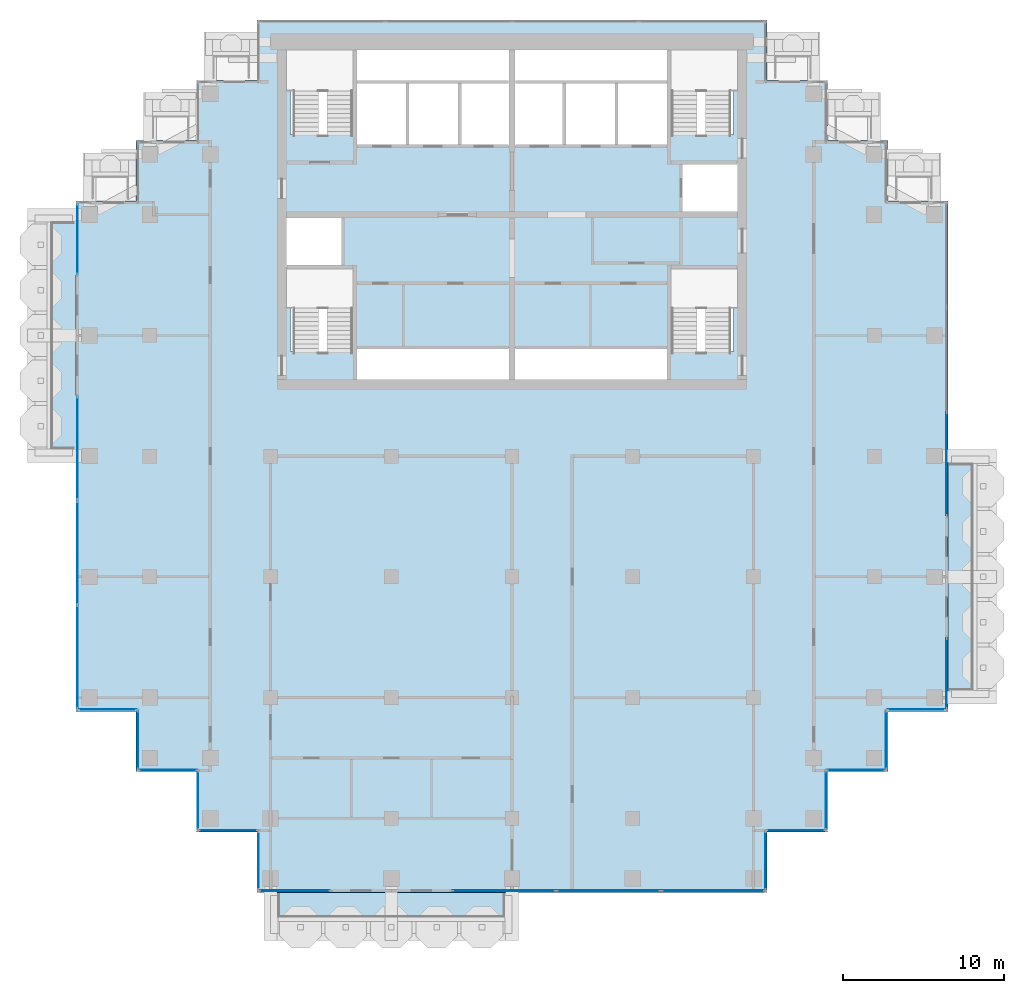
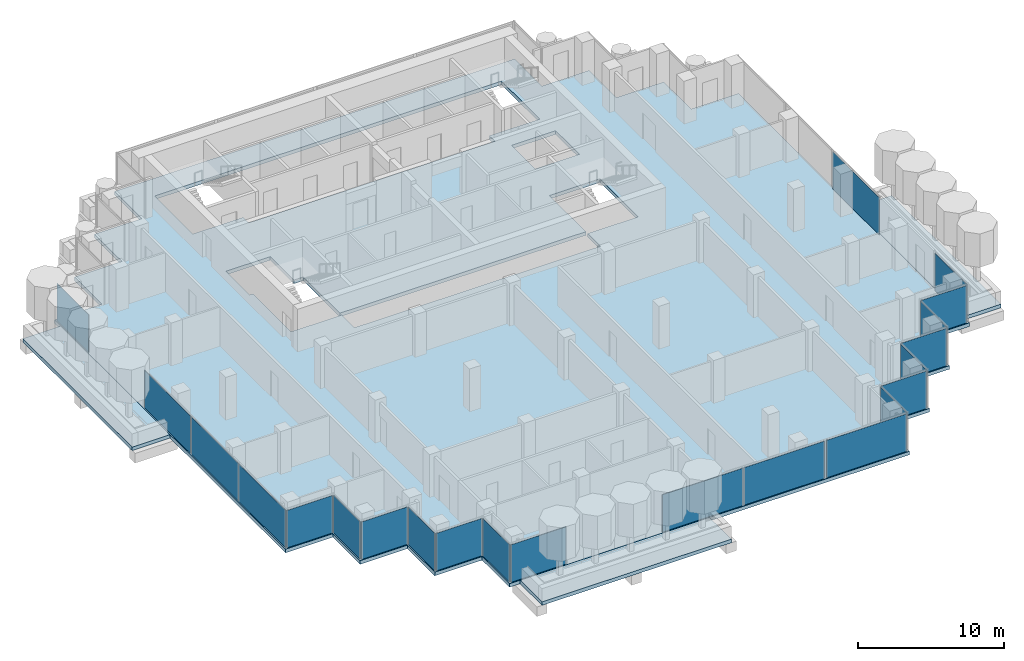
# One storey, part 8 of 17: 22 plates, 4 slabs, 20 elements without a shape of their own.
"""IFC4 building model written with IfcOpenShell, lengths in metres."""

import ifcopenshell
import ifcopenshell.guid

model = None  # the IFC model being written
_history = None  # IfcOwnerHistory: only IFC2X3 demands one
_inside = {}  # id of a spatial element -> (the spatial element, [elements in it])
_under = {}  # id of a project, library or spatial element -> (it, [spatial elements below it])
_declared = {}  # id of a project -> (the project, [libraries it declares])
_typed = {}  # id of a type object -> (the type object, [elements of that type])
_made_of = {}  # id of a material, layer set ... -> (it, [elements and type objects made of it])


def new_model(schema):
    """Start an empty IFC model of exactly this schema.

    Asked for "IFC4X3", IfcOpenShell would pick the latest addendum, in which some entities
    have other attributes; the version numbers below select the first issue.
    IFC2X3 requires an IfcOwnerHistory on every rooted entity: one is made here for all.
    """
    global model, _history
    if schema == "IFC4X3":
        model = ifcopenshell.file(schema_version=(4, 3, 0, 0))
    else:
        model = ifcopenshell.file(schema=schema)
    _inside.clear()
    _under.clear()
    _declared.clear()
    _typed.clear()
    _made_of.clear()
    _history = None
    if model.schema == "IFC2X3":
        org = make("IfcOrganization", Name="unknown")
        user = make(
            "IfcPersonAndOrganization",
            ThePerson=make("IfcPerson", FamilyName="unknown"),
            TheOrganization=org,
        )
        app = make(
            "IfcApplication",
            ApplicationDeveloper=org,
            Version="unknown",
            ApplicationFullName="unknown",
            ApplicationIdentifier="unknown",
        )
        _history = make(
            "IfcOwnerHistory",
            OwningUser=user,
            OwningApplication=app,
            ChangeAction="ADDED",
            CreationDate=0,
        )
    return model


def make(cls, **values):
    """One entity of the class cls with the attributes given. An attribute that is None is left unset."""
    return model.create_entity(
        cls, **{name: value for name, value in values.items() if value is not None}
    )


def rooted(cls, **values):
    """An entity with a GlobalId (a new one), such as an element, a storey or a relation."""
    return make(cls, GlobalId=ifcopenshell.guid.new(), OwnerHistory=_history, **values)


def si_unit(unit_type, name, prefix=None):
    """IfcSIUnit, for example si_unit("LENGTHUNIT", "METRE", prefix="MILLI")."""
    return make("IfcSIUnit", UnitType=unit_type, Prefix=prefix, Name=name)


def assignment(units):
    """IfcUnitAssignment: the units of a project."""
    return None if units is None else make("IfcUnitAssignment", Units=units)


def point(xyz):
    """IfcCartesianPoint."""
    return None if xyz is None else make("IfcCartesianPoint", Coordinates=xyz)


def direction(xyz):
    """IfcDirection."""
    return None if xyz is None else make("IfcDirection", DirectionRatios=xyz)


def frame(location, z_axis=None, x_axis=None):
    """IfcAxis2Placement3D, a coordinate frame: its origin and axes. An axis left out is left unset."""
    return make(
        "IfcAxis2Placement3D",
        Location=point(location),
        Axis=direction(z_axis),
        RefDirection=direction(x_axis),
    )


def frame_2d(location, x_axis=None):
    """IfcAxis2Placement2D, a coordinate frame in the plane: its origin and x axis."""
    return make(
        "IfcAxis2Placement2D", Location=point(location), RefDirection=direction(x_axis)
    )


def origin():
    """The frame at (0, 0, 0) with its axes left unset."""
    return frame((0.0, 0.0, 0.0))


def origin_2d():
    """The frame at (0, 0) in the plane with its x axis left unset."""
    return frame_2d((0.0, 0.0))


def place(relative_to, where):
    """IfcLocalPlacement: puts the frame where relative to a parent placement (None: the world)."""
    return make(
        "IfcLocalPlacement", PlacementRelTo=relative_to, RelativePlacement=where
    )


def context(
    kind, dimensions, precision=None, world=None, true_north=None, identifier=None
):
    """IfcGeometricRepresentationContext, for example the 3D "Model" context."""
    return make(
        "IfcGeometricRepresentationContext",
        ContextIdentifier=identifier,
        ContextType=kind,
        CoordinateSpaceDimension=dimensions,
        Precision=precision,
        WorldCoordinateSystem=world,
        TrueNorth=true_north,
    )


def subcontext(parent, identifier, kind, view, scale=None):
    """IfcGeometricRepresentationSubContext, for example "Body" below "Model"."""
    return make(
        "IfcGeometricRepresentationSubContext",
        ContextIdentifier=identifier,
        ContextType=kind,
        ParentContext=parent,
        TargetScale=scale,
        TargetView=view,
    )


def project(units=None, contexts=None):
    """IfcProject with its units and contexts."""
    return rooted(
        "IfcProject",
        Name="project",
        RepresentationContexts=contexts,
        UnitsInContext=assignment(units),
    )


def spatial(cls, under=None, at=None, **own):
    """A site, building, storey or space (cls), placed at a placement, below another one or the project."""
    s = rooted(cls, ObjectPlacement=at, **own)
    if under is not None:
        _under.setdefault(under.id(), (under, []))[1].append(s)
    return s


def polyline(points):
    """IfcPolyline through the points."""
    return make("IfcPolyline", Points=[point(p) for p in points])


def profile(cls, at=None, kind="AREA", **sizes):
    """A parametric profile (cls). Its sizes go by their IFC names, for example OverallWidth=200.0."""
    return make(cls, ProfileType=kind, Position=at, **sizes)


def rectangle(**sizes):
    """IfcRectangleProfileDef."""
    return profile("IfcRectangleProfileDef", **sizes)


def outline(outer, holes=None, kind="AREA"):
    """IfcArbitraryClosedProfileDef: a profile drawn as a closed curve; with holes, ...WithVoids."""
    if holes is None:
        return make("IfcArbitraryClosedProfileDef", ProfileType=kind, OuterCurve=outer)
    return make(
        "IfcArbitraryProfileDefWithVoids",
        ProfileType=kind,
        OuterCurve=outer,
        InnerCurves=holes,
    )


def extrude(swept, where, along, depth):
    """IfcExtrudedAreaSolid: the profile swept, set in the frame where, extruded along a direction by depth."""
    return make(
        "IfcExtrudedAreaSolid",
        SweptArea=swept,
        Position=where,
        ExtrudedDirection=direction(along),
        Depth=depth,
    )


def shape(context_of_items, identifier, shape_type, items):
    """IfcShapeRepresentation: the items that make up one representation, for example the "Body"."""
    return make(
        "IfcShapeRepresentation",
        ContextOfItems=context_of_items,
        RepresentationIdentifier=identifier,
        RepresentationType=shape_type,
        Items=items,
    )


def material(Name=None, Category=None):
    """IfcMaterial."""
    return make("IfcMaterial", Name=Name, Category=Category)


def layer(
    of_material, thickness, ventilated=None, Name=None, Category=None, Priority=None
):
    """IfcMaterialLayer: one layer of a wall or slab, of a material (None: an air gap)."""
    return make(
        "IfcMaterialLayer",
        Material=of_material,
        LayerThickness=thickness,
        IsVentilated=ventilated,
        Name=Name,
        Category=Category,
        Priority=Priority,
    )


def layer_set(layers, Name=None):
    """IfcMaterialLayerSet."""
    return make("IfcMaterialLayerSet", MaterialLayers=layers, LayerSetName=Name)


def made_of(thing, what):
    """Note that an element or type object is made of a material, layer set ...; save() writes the relation."""
    if what is not None:
        _made_of.setdefault(what.id(), (what, []))[1].append(thing)
    return thing


def type_object(cls, material=None, **own):
    """A type object (cls), such as IfcWallType, which elements share."""
    return made_of(rooted(cls, **own), material)


def element(
    cls,
    number,
    at=None,
    inside=None,
    cuts=None,
    type_object=None,
    material=None,
    context=None,
    identifier="Body",
    shape_type=None,
    held_by="IfcProductDefinitionShape",
    body=None,
    shapes=None,
    **own,
):
    """One element of the class cls, such as IfcWall. Its Tag is "e" and its number.

    at: its placement. inside: the storey or other place that contains it. cuts: it is an
    opening in that element (IfcRelVoidsElement). A single representation is given by context,
    identifier, shape_type and body (its items); several are given by shapes. held_by: the class
    of the entity that holds the representations. save() writes the other relations.
    """
    e = rooted(cls, Tag="e%d" % number, ObjectPlacement=at, **own)
    if body is not None:
        shapes = [shape(context, identifier, shape_type, body)]
    if shapes is not None:
        e.Representation = make(held_by, Representations=shapes)
    if inside is not None:
        _inside.setdefault(inside.id(), (inside, []))[1].append(e)
    if cuts is not None:
        rooted(
            "IfcRelVoidsElement", RelatingBuildingElement=cuts, RelatedOpeningElement=e
        )
    if type_object is not None:
        _typed.setdefault(type_object.id(), (type_object, []))[1].append(e)
    return made_of(e, material)


def aggregate(whole, parts):
    """IfcRelAggregates: a whole, such as a stair, and the parts it consists of."""
    return rooted("IfcRelAggregates", RelatingObject=whole, RelatedObjects=parts)


def save(model, path):
    """Write the relations noted so far, then the file.

    IfcRelAggregates (storeys below a building ...), IfcRelContainedInSpatialStructure (elements
    in a storey), IfcRelDefinesByType, IfcRelAssociatesMaterial and IfcRelDeclares: one each for
    every whole, place, type object, material and project.
    """
    for whole, parts in _under.values():
        aggregate(whole, parts)
    for where, things in _inside.values():
        rooted(
            "IfcRelContainedInSpatialStructure",
            RelatedElements=things,
            RelatingStructure=where,
        )
    for kind, things in _typed.values():
        rooted("IfcRelDefinesByType", RelatedObjects=things, RelatingType=kind)
    for what, things in _made_of.values():
        rooted("IfcRelAssociatesMaterial", RelatedObjects=things, RelatingMaterial=what)
    for by, libraries in _declared.values():
        rooted("IfcRelDeclares", RelatingContext=by, RelatedDefinitions=libraries)
    model.write(path)


model = new_model("IFC4")

# Units and contexts
model_context = context("Model", 3, precision=1e-05, world=origin(), true_north=direction((0.0, 1.0)))
body_context = subcontext(model_context, "Body", "Model", "MODEL_VIEW")
ifc_project = project(units=[si_unit("LENGTHUNIT", "METRE"), si_unit("AREAUNIT", "SQUARE_METRE"), si_unit("VOLUMEUNIT", "CUBIC_METRE"), si_unit("PLANEANGLEUNIT", "RADIAN"), si_unit("MASSUNIT", "GRAM", prefix="KILO")], contexts=[model_context])

# Site, building, storey
site_placement = place(None, origin())
site = spatial("IfcSite", under=ifc_project, at=site_placement, CompositionType="ELEMENT")
building_placement = place(site_placement, origin())
building = spatial("IfcBuilding", under=site, at=building_placement, Name="Pilkhan Gate Tower", CompositionType="ELEMENT")
storey_placement = place(building_placement, frame((0.0, 0.0, 206.699951171875)))
storey = spatial("IfcBuildingStorey", under=building, at=storey_placement, Name="L53", CompositionType="ELEMENT", Elevation=206.699951171875)

# Slabs
ifc_material_1 = material(Name="Concrete C60/75", Category="concrete")
ifc_layer_1 = layer(ifc_material_1, 0.300048828125)
ifc_layer_set_1 = layer_set([ifc_layer_1], Name="Balcony tray slab TR300")
slab_type_1 = type_object("IfcSlabType", Name="Balcony tray slab TR300", PredefinedType="FLOOR", material=ifc_layer_set_1)
slab_1_placement = place(storey_placement, frame((0.0, 0.0, -0.300048828125)))
element("IfcSlab", 1, at=slab_1_placement, inside=storey, type_object=slab_type_1, Name="Balcony tray L53 S", PredefinedType="FLOOR", context=body_context, shape_type="SweptSolid", body=[
    extrude(outline(polyline([(75.0, 37.39990234375), (75.0, 40.39990234375), (60.0, 40.39990234375), (60.0, 37.39990234375), (75.0, 37.39990234375)])), origin(), (0.0, 0.0, 1.0), 0.300048828125),
])
slab_2_placement = place(storey_placement, frame((0.0, 0.0, -0.300048828125)))
element("IfcSlab", 2, at=slab_2_placement, inside=storey, type_object=slab_type_1, Name="Balcony tray L53 E", PredefinedType="FLOOR", context=body_context, shape_type="SweptSolid", body=[
    extrude(outline(polyline([(105.10009765625, 52.5), (105.10009765625, 67.5), (102.10009765625, 67.5), (102.10009765625, 52.5), (105.10009765625, 52.5)])), origin(), (0.0, 0.0, 1.0), 0.300048828125),
])
slab_3_placement = place(storey_placement, frame((0.0, 0.0, -0.300048828125)))
element("IfcSlab", 3, at=slab_3_placement, inside=storey, type_object=slab_type_1, Name="Balcony tray L53 W", PredefinedType="FLOOR", context=body_context, shape_type="SweptSolid", body=[
    extrude(outline(polyline([(47.89990234375, 67.5), (47.89990234375, 82.5), (44.89990234375, 82.5), (44.89990234375, 67.5), (47.89990234375, 67.5)])), origin(), (0.0, 0.0, 1.0), 0.300048828125),
])
ifc_material_2 = material(Name="Concrete C40/50", Category="concrete")
ifc_layer_2 = layer(ifc_material_2, 0.300048828125)
ifc_layer_set_2 = layer_set([ifc_layer_2], Name="Flat plate slab FP300")
slab_type_2 = type_object("IfcSlabType", Name="Flat plate slab FP300", PredefinedType="FLOOR", material=ifc_layer_set_2)
slab_4_placement = place(storey_placement, frame((0.0, 0.0, -0.300048828125)))
element("IfcSlab", 4, at=slab_4_placement, inside=storey, type_object=slab_type_2, Name="Floor slab L53", PredefinedType="FLOOR", context=body_context, shape_type="SweptSolid", body=[
    extrude(outline(polyline([(98.35009765625, 47.89990234375), (94.60009765625, 47.89990234375), (94.60009765625, 44.14990234375), (90.85009765625, 44.14990234375), (90.85009765625, 40.39990234375), (59.14990234375, 40.39990234375), (59.14990234375, 44.14990234375), (55.39990234375, 44.14990234375), (55.39990234375, 47.89990234375), (51.64990234375, 47.89990234375), (51.64990234375, 51.64990234375), (47.89990234375, 51.64990234375), (47.89990234375, 83.35009765625), (51.64990234375, 83.35009765625), (51.64990234375, 87.10009765625), (55.39990234375, 87.10009765625), (55.39990234375, 90.85009765625), (59.14990234375, 90.85009765625), (59.14990234375, 94.60009765625), (90.85009765625, 94.60009765625), (90.85009765625, 90.85009765625), (94.60009765625, 90.85009765625), (94.60009765625, 87.10009765625), (98.35009765625, 87.10009765625), (98.35009765625, 83.35009765625), (102.10009765625, 83.35009765625), (102.10009765625, 51.64990234375), (98.35009765625, 51.64990234375), (98.35009765625, 47.89990234375)]), holes=[polyline([(75.0, 72.25), (84.75, 72.25), (84.75, 74.0), (88.75, 74.0), (88.75, 79.25), (84.75, 79.25), (84.75, 74.25), (75.0, 74.25), (65.25, 74.25), (65.25, 79.25), (64.5, 79.25), (64.5, 82.5), (61.25, 82.5), (61.0, 82.5), (61.0, 79.25), (61.25, 79.25), (61.25, 74.0), (65.25, 74.0), (65.25, 72.25), (75.0, 72.25)]), polyline([(68.5, 86.75), (71.75, 86.75), (75.0, 86.75), (78.25, 86.75), (81.5, 86.75), (84.75, 86.75), (84.75, 87.5), (88.75, 87.5), (88.75, 92.75), (84.75, 92.75), (75.0, 92.75), (65.25, 92.75), (61.25, 92.75), (61.25, 87.5), (65.25, 87.5), (65.25, 86.75), (68.5, 86.75)]), polyline([(85.5, 85.75), (85.5, 82.5), (88.75, 82.5), (89.0, 82.5), (89.0, 85.75), (88.75, 85.75), (85.5, 85.75)])]), origin(), (0.0, 0.0, 1.0), 0.300048828125),
])

# Curtain wall, plate
ifc_material_3 = material(Name="Pale anodised aluminium, clear low-iron double glazing", Category="aluminium")
curtain_wall_type = type_object("IfcCurtainWallType", Name="Office unitised curtain wall CW-O2", PredefinedType="USERDEFINED", material=ifc_material_3)
curtain_wall_1_placement = place(storey_placement, origin())
curtain_wall_1 = element("IfcCurtainWall", 5, at=curtain_wall_1_placement, inside=storey, type_object=curtain_wall_type, Name="Office unitised curtain wall CW-O2 L53 E", ObjectType="UNITISED CURTAIN WALL", PredefinedType="USERDEFINED")
ifc_material_4 = material(Name="Clear low-iron double glazing", Category="glass")
ifc_layer_3 = layer(ifc_material_4, 0.031982421875)
ifc_layer_set_3 = layer_set([ifc_layer_3], Name="Glass panel CW-O2 32")
plate_type = type_object("IfcPlateType", Name="Glass panel CW-O2 32", PredefinedType="CURTAIN_PANEL", material=ifc_layer_set_3)
plate_1_placement = place(storey_placement, frame((102.0, 54.0, 0.0), z_axis=(0.0, 0.0, 1.0), x_axis=(0.0, 1.0, 0.0)))
plate_1 = element("IfcPlate", 6, at=plate_1_placement, type_object=plate_type, Name="CW-O2 panel 1", PredefinedType="CURTAIN_PANEL", context=body_context, shape_type="SweptSolid", body=[
    extrude(rectangle(XDim=4.3701171875, YDim=0.031982421875, at=origin_2d()), origin(), (0.0, 0.0, 1.0), 3.135009765625),
])
aggregate(curtain_wall_1, [plate_1])

curtain_wall_2_placement = place(storey_placement, origin())
curtain_wall_2 = element("IfcCurtainWall", 7, at=curtain_wall_2_placement, inside=storey, type_object=curtain_wall_type, Name="Office unitised curtain wall CW-O2 L53 E", ObjectType="UNITISED CURTAIN WALL", PredefinedType="USERDEFINED")
plate_2_placement = place(storey_placement, frame((102.0, 67.016357421875, 0.0), z_axis=(0.0, 0.0, 1.0), x_axis=(0.0, 1.0, 0.0)))
plate_2 = element("IfcPlate", 8, at=plate_2_placement, type_object=plate_type, Name="CW-O2 panel 1", PredefinedType="CURTAIN_PANEL", context=body_context, shape_type="SweptSolid", body=[
    extrude(rectangle(XDim=6.402587890625, YDim=0.031982421875, at=origin_2d()), origin(), (0.0, 0.0, 1.0), 3.135009765625),
])
aggregate(curtain_wall_2, [plate_2])

# Curtain wall, plates
curtain_wall_3_placement = place(storey_placement, origin())
curtain_wall_3 = element("IfcCurtainWall", 9, at=curtain_wall_3_placement, inside=storey, type_object=curtain_wall_type, Name="Office unitised curtain wall CW-O2 L53 W", ObjectType="UNITISED CURTAIN WALL", PredefinedType="USERDEFINED")
plate_3_placement = place(storey_placement, frame((48.0, 55.016357421875, 0.0), z_axis=(0.0, 0.0, 1.0), x_axis=(0.0, 1.0, 0.0)))
plate_3 = element("IfcPlate", 10, at=plate_3_placement, type_object=plate_type, Name="CW-O2 panel 1", PredefinedType="CURTAIN_PANEL", context=body_context, shape_type="SweptSolid", body=[
    extrude(rectangle(XDim=6.402587890625, YDim=0.031982421875, at=origin_2d()), origin(), (0.0, 0.0, 1.0), 3.135009765625),
])
plate_4_placement = place(storey_placement, frame((48.0, 61.483642578125, 0.0), z_axis=(0.0, 0.0, 1.0), x_axis=(0.0, 1.0, 0.0)))
plate_4 = element("IfcPlate", 11, at=plate_4_placement, type_object=plate_type, Name="CW-O2 panel 2", PredefinedType="CURTAIN_PANEL", context=body_context, shape_type="SweptSolid", body=[
    extrude(rectangle(XDim=6.402587890625, YDim=0.031982421875, at=origin_2d()), origin(), (0.0, 0.0, 1.0), 3.135009765625),
])
aggregate(curtain_wall_3, [plate_3, plate_4])

# Curtain wall, plate
curtain_wall_4_placement = place(storey_placement, origin())
curtain_wall_4 = element("IfcCurtainWall", 12, at=curtain_wall_4_placement, inside=storey, type_object=curtain_wall_type, Name="Office unitised curtain wall CW-O2 L53 W", ObjectType="UNITISED CURTAIN WALL", PredefinedType="USERDEFINED")
plate_5_placement = place(storey_placement, frame((48.0, 68.0, 0.0), z_axis=(0.0, 0.0, 1.0), x_axis=(0.0, 1.0, 0.0)))
plate_5 = element("IfcPlate", 13, at=plate_5_placement, type_object=plate_type, Name="CW-O2 panel 1", PredefinedType="CURTAIN_PANEL", context=body_context, shape_type="SweptSolid", body=[
    extrude(rectangle(XDim=6.3701171875, YDim=0.031982421875, at=origin_2d()), origin(), (0.0, 0.0, 1.0), 3.135009765625),
])
aggregate(curtain_wall_4, [plate_5])

curtain_wall_5_placement = place(storey_placement, origin())
curtain_wall_5 = element("IfcCurtainWall", 14, at=curtain_wall_5_placement, inside=storey, type_object=curtain_wall_type, Name="Office unitised curtain wall CW-O2 L53 W", ObjectType="UNITISED CURTAIN WALL", PredefinedType="USERDEFINED")
plate_6_placement = place(storey_placement, frame((48.0, 81.0, 0.0), z_axis=(0.0, 0.0, 1.0), x_axis=(0.0, 1.0, 0.0)))
plate_6 = element("IfcPlate", 15, at=plate_6_placement, type_object=plate_type, Name="CW-O2 panel 1", PredefinedType="CURTAIN_PANEL", context=body_context, shape_type="SweptSolid", body=[
    extrude(rectangle(XDim=4.3701171875, YDim=0.031982421875, at=origin_2d()), origin(), (0.0, 0.0, 1.0), 3.135009765625),
])
aggregate(curtain_wall_5, [plate_6])

curtain_wall_6_placement = place(storey_placement, origin())
curtain_wall_6 = element("IfcCurtainWall", 16, at=curtain_wall_6_placement, inside=storey, type_object=curtain_wall_type, Name="Office unitised curtain wall CW-O2 L53 S", ObjectType="UNITISED CURTAIN WALL", PredefinedType="USERDEFINED")
plate_7_placement = place(storey_placement, frame((49.875, 51.75, 0.0), z_axis=(0.0, 0.0, 1.0), x_axis=(1.0, 0.0, 0.0)))
plate_7 = element("IfcPlate", 17, at=plate_7_placement, type_object=plate_type, Name="CW-O2 panel 1", PredefinedType="CURTAIN_PANEL", context=body_context, shape_type="SweptSolid", body=[
    extrude(rectangle(XDim=3.6201171875, YDim=0.031982421875, at=origin_2d()), origin(), (0.0, 0.0, 1.0), 3.135009765625),
])
aggregate(curtain_wall_6, [plate_7])

curtain_wall_7_placement = place(storey_placement, origin())
curtain_wall_7 = element("IfcCurtainWall", 18, at=curtain_wall_7_placement, inside=storey, type_object=curtain_wall_type, Name="Office unitised curtain wall CW-O2 L53 W", ObjectType="UNITISED CURTAIN WALL", PredefinedType="USERDEFINED")
plate_8_placement = place(storey_placement, frame((51.75, 49.875, 0.0), z_axis=(0.0, 0.0, 1.0), x_axis=(0.0, 1.0, 0.0)))
plate_8 = element("IfcPlate", 19, at=plate_8_placement, type_object=plate_type, Name="CW-O2 panel 1", PredefinedType="CURTAIN_PANEL", context=body_context, shape_type="SweptSolid", body=[
    extrude(rectangle(XDim=3.6201171875, YDim=0.031982421875, at=origin_2d()), origin(), (0.0, 0.0, 1.0), 3.135009765625),
])
aggregate(curtain_wall_7, [plate_8])

curtain_wall_8_placement = place(storey_placement, origin())
curtain_wall_8 = element("IfcCurtainWall", 20, at=curtain_wall_8_placement, inside=storey, type_object=curtain_wall_type, Name="Office unitised curtain wall CW-O2 L53 S", ObjectType="UNITISED CURTAIN WALL", PredefinedType="USERDEFINED")
plate_9_placement = place(storey_placement, frame((53.625, 48.0, 0.0), z_axis=(0.0, 0.0, 1.0), x_axis=(1.0, 0.0, 0.0)))
plate_9 = element("IfcPlate", 21, at=plate_9_placement, type_object=plate_type, Name="CW-O2 panel 1", PredefinedType="CURTAIN_PANEL", context=body_context, shape_type="SweptSolid", body=[
    extrude(rectangle(XDim=3.6201171875, YDim=0.031982421875, at=origin_2d()), origin(), (0.0, 0.0, 1.0), 3.135009765625),
])
aggregate(curtain_wall_8, [plate_9])

curtain_wall_9_placement = place(storey_placement, origin())
curtain_wall_9 = element("IfcCurtainWall", 22, at=curtain_wall_9_placement, inside=storey, type_object=curtain_wall_type, Name="Office unitised curtain wall CW-O2 L53 W", ObjectType="UNITISED CURTAIN WALL", PredefinedType="USERDEFINED")
plate_10_placement = place(storey_placement, frame((55.5, 46.125, 0.0), z_axis=(0.0, 0.0, 1.0), x_axis=(0.0, 1.0, 0.0)))
plate_10 = element("IfcPlate", 23, at=plate_10_placement, type_object=plate_type, Name="CW-O2 panel 1", PredefinedType="CURTAIN_PANEL", context=body_context, shape_type="SweptSolid", body=[
    extrude(rectangle(XDim=3.6201171875, YDim=0.031982421875, at=origin_2d()), origin(), (0.0, 0.0, 1.0), 3.135009765625),
])
aggregate(curtain_wall_9, [plate_10])

curtain_wall_10_placement = place(storey_placement, origin())
curtain_wall_10 = element("IfcCurtainWall", 24, at=curtain_wall_10_placement, inside=storey, type_object=curtain_wall_type, Name="Office unitised curtain wall CW-O2 L53 S", ObjectType="UNITISED CURTAIN WALL", PredefinedType="USERDEFINED")
plate_11_placement = place(storey_placement, frame((57.375, 44.25, 0.0), z_axis=(0.0, 0.0, 1.0), x_axis=(1.0, 0.0, 0.0)))
plate_11 = element("IfcPlate", 25, at=plate_11_placement, type_object=plate_type, Name="CW-O2 panel 1", PredefinedType="CURTAIN_PANEL", context=body_context, shape_type="SweptSolid", body=[
    extrude(rectangle(XDim=3.6201171875, YDim=0.031982421875, at=origin_2d()), origin(), (0.0, 0.0, 1.0), 3.135009765625),
])
aggregate(curtain_wall_10, [plate_11])

curtain_wall_11_placement = place(storey_placement, origin())
curtain_wall_11 = element("IfcCurtainWall", 26, at=curtain_wall_11_placement, inside=storey, type_object=curtain_wall_type, Name="Office unitised curtain wall CW-O2 L53 W", ObjectType="UNITISED CURTAIN WALL", PredefinedType="USERDEFINED")
plate_12_placement = place(storey_placement, frame((59.25, 42.375, 0.0), z_axis=(0.0, 0.0, 1.0), x_axis=(0.0, 1.0, 0.0)))
plate_12 = element("IfcPlate", 27, at=plate_12_placement, type_object=plate_type, Name="CW-O2 panel 1", PredefinedType="CURTAIN_PANEL", context=body_context, shape_type="SweptSolid", body=[
    extrude(rectangle(XDim=3.6201171875, YDim=0.031982421875, at=origin_2d()), origin(), (0.0, 0.0, 1.0), 3.135009765625),
])
aggregate(curtain_wall_11, [plate_12])

curtain_wall_12_placement = place(storey_placement, origin())
curtain_wall_12 = element("IfcCurtainWall", 28, at=curtain_wall_12_placement, inside=storey, type_object=curtain_wall_type, Name="Office unitised curtain wall CW-O2 L53 S", ObjectType="UNITISED CURTAIN WALL", PredefinedType="USERDEFINED")
plate_13_placement = place(storey_placement, frame((61.5, 40.5, 0.0), z_axis=(0.0, 0.0, 1.0), x_axis=(1.0, 0.0, 0.0)))
plate_13 = element("IfcPlate", 29, at=plate_13_placement, type_object=plate_type, Name="CW-O2 panel 1", PredefinedType="CURTAIN_PANEL", context=body_context, shape_type="SweptSolid", body=[
    extrude(rectangle(XDim=4.3701171875, YDim=0.031982421875, at=origin_2d()), origin(), (0.0, 0.0, 1.0), 3.135009765625),
])
aggregate(curtain_wall_12, [plate_13])

# Curtain wall, plates
curtain_wall_13_placement = place(storey_placement, origin())
curtain_wall_13 = element("IfcCurtainWall", 30, at=curtain_wall_13_placement, inside=storey, type_object=curtain_wall_type, Name="Office unitised curtain wall CW-O2 L53 S", ObjectType="UNITISED CURTAIN WALL", PredefinedType="USERDEFINED")
plate_14_placement = place(storey_placement, frame((74.516357421875, 40.5, 0.0), z_axis=(0.0, 0.0, 1.0), x_axis=(1.0, 0.0, 0.0)))
plate_14 = element("IfcPlate", 31, at=plate_14_placement, type_object=plate_type, Name="CW-O2 panel 1", PredefinedType="CURTAIN_PANEL", context=body_context, shape_type="SweptSolid", body=[
    extrude(rectangle(XDim=6.402587890625, YDim=0.031982421875, at=origin_2d()), origin(), (0.0, 0.0, 1.0), 3.135009765625),
])
plate_15_placement = place(storey_placement, frame((80.983642578125, 40.5, 0.0), z_axis=(0.0, 0.0, 1.0), x_axis=(1.0, 0.0, 0.0)))
plate_15 = element("IfcPlate", 32, at=plate_15_placement, type_object=plate_type, Name="CW-O2 panel 2", PredefinedType="CURTAIN_PANEL", context=body_context, shape_type="SweptSolid", body=[
    extrude(rectangle(XDim=6.402587890625, YDim=0.031982421875, at=origin_2d()), origin(), (0.0, 0.0, 1.0), 3.135009765625),
])
aggregate(curtain_wall_13, [plate_14, plate_15])

# Curtain wall, plate
curtain_wall_14_placement = place(storey_placement, origin())
curtain_wall_14 = element("IfcCurtainWall", 33, at=curtain_wall_14_placement, inside=storey, type_object=curtain_wall_type, Name="Office unitised curtain wall CW-O2 L53 S", ObjectType="UNITISED CURTAIN WALL", PredefinedType="USERDEFINED")
plate_16_placement = place(storey_placement, frame((87.5, 40.5, 0.0), z_axis=(0.0, 0.0, 1.0), x_axis=(1.0, 0.0, 0.0)))
plate_16 = element("IfcPlate", 34, at=plate_16_placement, type_object=plate_type, Name="CW-O2 panel 1", PredefinedType="CURTAIN_PANEL", context=body_context, shape_type="SweptSolid", body=[
    extrude(rectangle(XDim=6.3701171875, YDim=0.031982421875, at=origin_2d()), origin(), (0.0, 0.0, 1.0), 3.135009765625),
])
aggregate(curtain_wall_14, [plate_16])

curtain_wall_15_placement = place(storey_placement, origin())
curtain_wall_15 = element("IfcCurtainWall", 35, at=curtain_wall_15_placement, inside=storey, type_object=curtain_wall_type, Name="Office unitised curtain wall CW-O2 L53 E", ObjectType="UNITISED CURTAIN WALL", PredefinedType="USERDEFINED")
plate_17_placement = place(storey_placement, frame((90.75, 42.375, 0.0), z_axis=(0.0, 0.0, 1.0), x_axis=(0.0, 1.0, 0.0)))
plate_17 = element("IfcPlate", 36, at=plate_17_placement, type_object=plate_type, Name="CW-O2 panel 1", PredefinedType="CURTAIN_PANEL", context=body_context, shape_type="SweptSolid", body=[
    extrude(rectangle(XDim=3.6201171875, YDim=0.031982421875, at=origin_2d()), origin(), (0.0, 0.0, 1.0), 3.135009765625),
])
aggregate(curtain_wall_15, [plate_17])

curtain_wall_16_placement = place(storey_placement, origin())
curtain_wall_16 = element("IfcCurtainWall", 37, at=curtain_wall_16_placement, inside=storey, type_object=curtain_wall_type, Name="Office unitised curtain wall CW-O2 L53 S", ObjectType="UNITISED CURTAIN WALL", PredefinedType="USERDEFINED")
plate_18_placement = place(storey_placement, frame((92.625, 44.25, 0.0), z_axis=(0.0, 0.0, 1.0), x_axis=(1.0, 0.0, 0.0)))
plate_18 = element("IfcPlate", 38, at=plate_18_placement, type_object=plate_type, Name="CW-O2 panel 1", PredefinedType="CURTAIN_PANEL", context=body_context, shape_type="SweptSolid", body=[
    extrude(rectangle(XDim=3.6201171875, YDim=0.031982421875, at=origin_2d()), origin(), (0.0, 0.0, 1.0), 3.135009765625),
])
aggregate(curtain_wall_16, [plate_18])

curtain_wall_17_placement = place(storey_placement, origin())
curtain_wall_17 = element("IfcCurtainWall", 39, at=curtain_wall_17_placement, inside=storey, type_object=curtain_wall_type, Name="Office unitised curtain wall CW-O2 L53 E", ObjectType="UNITISED CURTAIN WALL", PredefinedType="USERDEFINED")
plate_19_placement = place(storey_placement, frame((94.5, 46.125, 0.0), z_axis=(0.0, 0.0, 1.0), x_axis=(0.0, 1.0, 0.0)))
plate_19 = element("IfcPlate", 40, at=plate_19_placement, type_object=plate_type, Name="CW-O2 panel 1", PredefinedType="CURTAIN_PANEL", context=body_context, shape_type="SweptSolid", body=[
    extrude(rectangle(XDim=3.6201171875, YDim=0.031982421875, at=origin_2d()), origin(), (0.0, 0.0, 1.0), 3.135009765625),
])
aggregate(curtain_wall_17, [plate_19])

curtain_wall_18_placement = place(storey_placement, origin())
curtain_wall_18 = element("IfcCurtainWall", 41, at=curtain_wall_18_placement, inside=storey, type_object=curtain_wall_type, Name="Office unitised curtain wall CW-O2 L53 S", ObjectType="UNITISED CURTAIN WALL", PredefinedType="USERDEFINED")
plate_20_placement = place(storey_placement, frame((96.375, 48.0, 0.0), z_axis=(0.0, 0.0, 1.0), x_axis=(1.0, 0.0, 0.0)))
plate_20 = element("IfcPlate", 42, at=plate_20_placement, type_object=plate_type, Name="CW-O2 panel 1", PredefinedType="CURTAIN_PANEL", context=body_context, shape_type="SweptSolid", body=[
    extrude(rectangle(XDim=3.6201171875, YDim=0.031982421875, at=origin_2d()), origin(), (0.0, 0.0, 1.0), 3.135009765625),
])
aggregate(curtain_wall_18, [plate_20])

curtain_wall_19_placement = place(storey_placement, origin())
curtain_wall_19 = element("IfcCurtainWall", 43, at=curtain_wall_19_placement, inside=storey, type_object=curtain_wall_type, Name="Office unitised curtain wall CW-O2 L53 E", ObjectType="UNITISED CURTAIN WALL", PredefinedType="USERDEFINED")
plate_21_placement = place(storey_placement, frame((98.25, 49.875, 0.0), z_axis=(0.0, 0.0, 1.0), x_axis=(0.0, 1.0, 0.0)))
plate_21 = element("IfcPlate", 44, at=plate_21_placement, type_object=plate_type, Name="CW-O2 panel 1", PredefinedType="CURTAIN_PANEL", context=body_context, shape_type="SweptSolid", body=[
    extrude(rectangle(XDim=3.6201171875, YDim=0.031982421875, at=origin_2d()), origin(), (0.0, 0.0, 1.0), 3.135009765625),
])
aggregate(curtain_wall_19, [plate_21])

curtain_wall_20_placement = place(storey_placement, origin())
curtain_wall_20 = element("IfcCurtainWall", 45, at=curtain_wall_20_placement, inside=storey, type_object=curtain_wall_type, Name="Office unitised curtain wall CW-O2 L53 S", ObjectType="UNITISED CURTAIN WALL", PredefinedType="USERDEFINED")
plate_22_placement = place(storey_placement, frame((100.125, 51.75, 0.0), z_axis=(0.0, 0.0, 1.0), x_axis=(1.0, 0.0, 0.0)))
plate_22 = element("IfcPlate", 46, at=plate_22_placement, type_object=plate_type, Name="CW-O2 panel 1", PredefinedType="CURTAIN_PANEL", context=body_context, shape_type="SweptSolid", body=[
    extrude(rectangle(XDim=3.6201171875, YDim=0.031982421875, at=origin_2d()), origin(), (0.0, 0.0, 1.0), 3.135009765625),
])
aggregate(curtain_wall_20, [plate_22])

save(model, "model.ifc")
